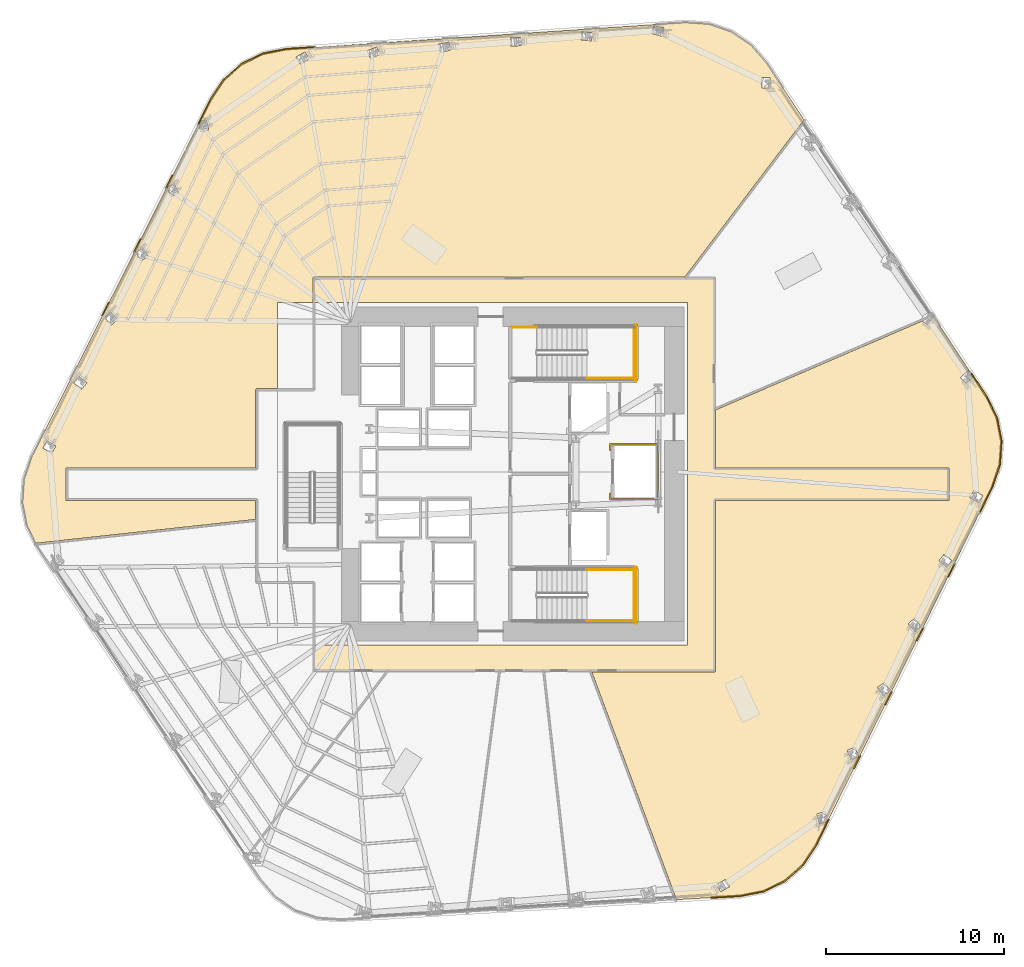
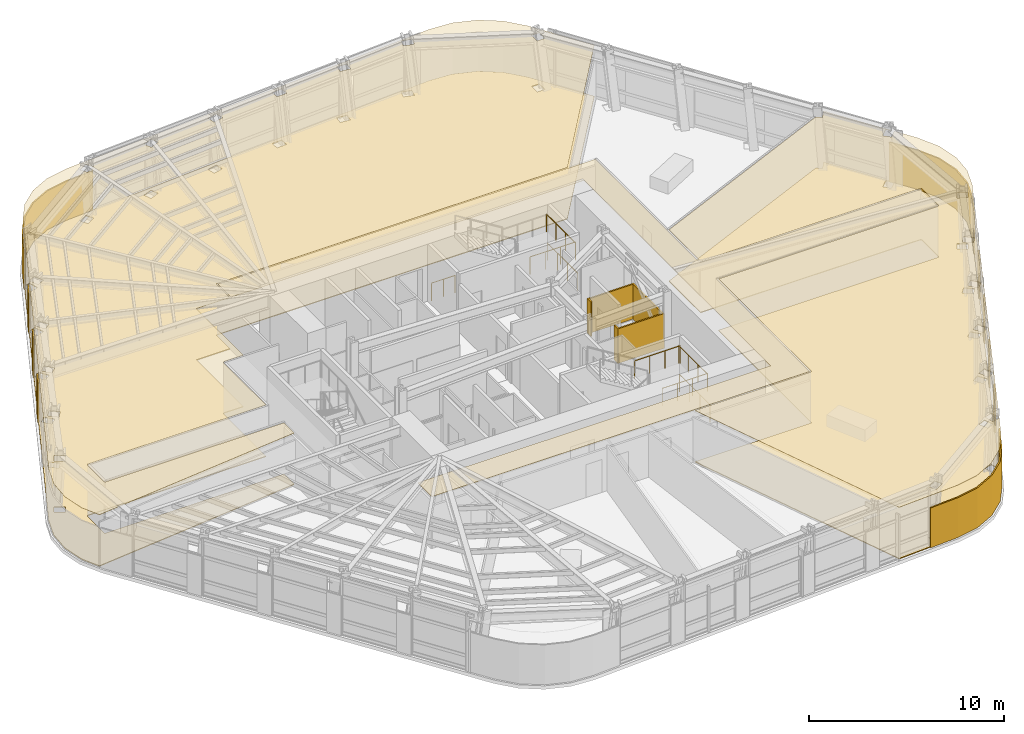
# One storey, part 13 of 15: 16 coverings, 8 railings.
"""IFC4 building model written with IfcOpenShell, lengths in metres."""

import ifcopenshell
import ifcopenshell.guid

model = None  # the IFC model being written
_history = None  # IfcOwnerHistory: only IFC2X3 demands one
_inside = {}  # id of a spatial element -> (the spatial element, [elements in it])
_under = {}  # id of a project, library or spatial element -> (it, [spatial elements below it])
_declared = {}  # id of a project -> (the project, [libraries it declares])
_typed = {}  # id of a type object -> (the type object, [elements of that type])
_made_of = {}  # id of a material, layer set ... -> (it, [elements and type objects made of it])


def new_model(schema):
    """Start an empty IFC model of exactly this schema.

    Asked for "IFC4X3", IfcOpenShell would pick the latest addendum, in which some entities
    have other attributes; the version numbers below select the first issue.
    IFC2X3 requires an IfcOwnerHistory on every rooted entity: one is made here for all.
    """
    global model, _history
    if schema == "IFC4X3":
        model = ifcopenshell.file(schema_version=(4, 3, 0, 0))
    else:
        model = ifcopenshell.file(schema=schema)
    _inside.clear()
    _under.clear()
    _declared.clear()
    _typed.clear()
    _made_of.clear()
    _history = None
    if model.schema == "IFC2X3":
        org = make("IfcOrganization", Name="unknown")
        user = make(
            "IfcPersonAndOrganization",
            ThePerson=make("IfcPerson", FamilyName="unknown"),
            TheOrganization=org,
        )
        app = make(
            "IfcApplication",
            ApplicationDeveloper=org,
            Version="unknown",
            ApplicationFullName="unknown",
            ApplicationIdentifier="unknown",
        )
        _history = make(
            "IfcOwnerHistory",
            OwningUser=user,
            OwningApplication=app,
            ChangeAction="ADDED",
            CreationDate=0,
        )
    return model


def make(cls, **values):
    """One entity of the class cls with the attributes given. An attribute that is None is left unset."""
    return model.create_entity(
        cls, **{name: value for name, value in values.items() if value is not None}
    )


def rooted(cls, **values):
    """An entity with a GlobalId (a new one), such as an element, a storey or a relation."""
    return make(cls, GlobalId=ifcopenshell.guid.new(), OwnerHistory=_history, **values)


def si_unit(unit_type, name, prefix=None):
    """IfcSIUnit, for example si_unit("LENGTHUNIT", "METRE", prefix="MILLI")."""
    return make("IfcSIUnit", UnitType=unit_type, Prefix=prefix, Name=name)


def assignment(units):
    """IfcUnitAssignment: the units of a project."""
    return None if units is None else make("IfcUnitAssignment", Units=units)


def point(xyz):
    """IfcCartesianPoint."""
    return None if xyz is None else make("IfcCartesianPoint", Coordinates=xyz)


def direction(xyz):
    """IfcDirection."""
    return None if xyz is None else make("IfcDirection", DirectionRatios=xyz)


def frame(location, z_axis=None, x_axis=None):
    """IfcAxis2Placement3D, a coordinate frame: its origin and axes. An axis left out is left unset."""
    return make(
        "IfcAxis2Placement3D",
        Location=point(location),
        Axis=direction(z_axis),
        RefDirection=direction(x_axis),
    )


def frame_2d(location, x_axis=None):
    """IfcAxis2Placement2D, a coordinate frame in the plane: its origin and x axis."""
    return make(
        "IfcAxis2Placement2D", Location=point(location), RefDirection=direction(x_axis)
    )


def origin():
    """The frame at (0, 0, 0) with its axes left unset."""
    return frame((0.0, 0.0, 0.0))


def origin_2d():
    """The frame at (0, 0) in the plane with its x axis left unset."""
    return frame_2d((0.0, 0.0))


def place(relative_to, where):
    """IfcLocalPlacement: puts the frame where relative to a parent placement (None: the world)."""
    return make(
        "IfcLocalPlacement", PlacementRelTo=relative_to, RelativePlacement=where
    )


def context(
    kind, dimensions, precision=None, world=None, true_north=None, identifier=None
):
    """IfcGeometricRepresentationContext, for example the 3D "Model" context."""
    return make(
        "IfcGeometricRepresentationContext",
        ContextIdentifier=identifier,
        ContextType=kind,
        CoordinateSpaceDimension=dimensions,
        Precision=precision,
        WorldCoordinateSystem=world,
        TrueNorth=true_north,
    )


def subcontext(parent, identifier, kind, view, scale=None):
    """IfcGeometricRepresentationSubContext, for example "Body" below "Model"."""
    return make(
        "IfcGeometricRepresentationSubContext",
        ContextIdentifier=identifier,
        ContextType=kind,
        ParentContext=parent,
        TargetScale=scale,
        TargetView=view,
    )


def project(units=None, contexts=None):
    """IfcProject with its units and contexts."""
    return rooted(
        "IfcProject",
        Name="project",
        RepresentationContexts=contexts,
        UnitsInContext=assignment(units),
    )


def spatial(cls, under=None, at=None, **own):
    """A site, building, storey or space (cls), placed at a placement, below another one or the project."""
    s = rooted(cls, ObjectPlacement=at, **own)
    if under is not None:
        _under.setdefault(under.id(), (under, []))[1].append(s)
    return s


def polyline(points):
    """IfcPolyline through the points."""
    return make("IfcPolyline", Points=[point(p) for p in points])


def profile(cls, at=None, kind="AREA", **sizes):
    """A parametric profile (cls). Its sizes go by their IFC names, for example OverallWidth=200.0."""
    return make(cls, ProfileType=kind, Position=at, **sizes)


def circle(**sizes):
    """IfcCircleProfileDef."""
    return profile("IfcCircleProfileDef", **sizes)


def outline(outer, holes=None, kind="AREA"):
    """IfcArbitraryClosedProfileDef: a profile drawn as a closed curve; with holes, ...WithVoids."""
    if holes is None:
        return make("IfcArbitraryClosedProfileDef", ProfileType=kind, OuterCurve=outer)
    return make(
        "IfcArbitraryProfileDefWithVoids",
        ProfileType=kind,
        OuterCurve=outer,
        InnerCurves=holes,
    )


def extrude(swept, where, along, depth):
    """IfcExtrudedAreaSolid: the profile swept, set in the frame where, extruded along a direction by depth."""
    return make(
        "IfcExtrudedAreaSolid",
        SweptArea=swept,
        Position=where,
        ExtrudedDirection=direction(along),
        Depth=depth,
    )


def shape(context_of_items, identifier, shape_type, items):
    """IfcShapeRepresentation: the items that make up one representation, for example the "Body"."""
    return make(
        "IfcShapeRepresentation",
        ContextOfItems=context_of_items,
        RepresentationIdentifier=identifier,
        RepresentationType=shape_type,
        Items=items,
    )


def material(Name=None, Category=None):
    """IfcMaterial."""
    return make("IfcMaterial", Name=Name, Category=Category)


def layer(
    of_material, thickness, ventilated=None, Name=None, Category=None, Priority=None
):
    """IfcMaterialLayer: one layer of a wall or slab, of a material (None: an air gap)."""
    return make(
        "IfcMaterialLayer",
        Material=of_material,
        LayerThickness=thickness,
        IsVentilated=ventilated,
        Name=Name,
        Category=Category,
        Priority=Priority,
    )


def layer_set(layers, Name=None):
    """IfcMaterialLayerSet."""
    return make("IfcMaterialLayerSet", MaterialLayers=layers, LayerSetName=Name)


def made_of(thing, what):
    """Note that an element or type object is made of a material, layer set ...; save() writes the relation."""
    if what is not None:
        _made_of.setdefault(what.id(), (what, []))[1].append(thing)
    return thing


def type_object(cls, material=None, **own):
    """A type object (cls), such as IfcWallType, which elements share."""
    return made_of(rooted(cls, **own), material)


def element(
    cls,
    number,
    at=None,
    inside=None,
    cuts=None,
    type_object=None,
    material=None,
    context=None,
    identifier="Body",
    shape_type=None,
    held_by="IfcProductDefinitionShape",
    body=None,
    shapes=None,
    **own,
):
    """One element of the class cls, such as IfcWall. Its Tag is "e" and its number.

    at: its placement. inside: the storey or other place that contains it. cuts: it is an
    opening in that element (IfcRelVoidsElement). A single representation is given by context,
    identifier, shape_type and body (its items); several are given by shapes. held_by: the class
    of the entity that holds the representations. save() writes the other relations.
    """
    e = rooted(cls, Tag="e%d" % number, ObjectPlacement=at, **own)
    if body is not None:
        shapes = [shape(context, identifier, shape_type, body)]
    if shapes is not None:
        e.Representation = make(held_by, Representations=shapes)
    if inside is not None:
        _inside.setdefault(inside.id(), (inside, []))[1].append(e)
    if cuts is not None:
        rooted(
            "IfcRelVoidsElement", RelatingBuildingElement=cuts, RelatedOpeningElement=e
        )
    if type_object is not None:
        _typed.setdefault(type_object.id(), (type_object, []))[1].append(e)
    return made_of(e, material)


def aggregate(whole, parts):
    """IfcRelAggregates: a whole, such as a stair, and the parts it consists of."""
    return rooted("IfcRelAggregates", RelatingObject=whole, RelatedObjects=parts)


def save(model, path):
    """Write the relations noted so far, then the file.

    IfcRelAggregates (storeys below a building ...), IfcRelContainedInSpatialStructure (elements
    in a storey), IfcRelDefinesByType, IfcRelAssociatesMaterial and IfcRelDeclares: one each for
    every whole, place, type object, material and project.
    """
    for whole, parts in _under.values():
        aggregate(whole, parts)
    for where, things in _inside.values():
        rooted(
            "IfcRelContainedInSpatialStructure",
            RelatedElements=things,
            RelatingStructure=where,
        )
    for kind, things in _typed.values():
        rooted("IfcRelDefinesByType", RelatedObjects=things, RelatingType=kind)
    for what, things in _made_of.values():
        rooted("IfcRelAssociatesMaterial", RelatedObjects=things, RelatingMaterial=what)
    for by, libraries in _declared.values():
        rooted("IfcRelDeclares", RelatingContext=by, RelatedDefinitions=libraries)
    model.write(path)


model = new_model("IFC4")

# Units and contexts
model_context = context("Model", 3, precision=1e-05, world=origin(), true_north=direction((0.0, 1.0)))
body_context = subcontext(model_context, "Body", "Model", "MODEL_VIEW")
ifc_project = project(units=[si_unit("LENGTHUNIT", "METRE"), si_unit("AREAUNIT", "SQUARE_METRE"), si_unit("VOLUMEUNIT", "CUBIC_METRE"), si_unit("PLANEANGLEUNIT", "RADIAN"), si_unit("MASSUNIT", "GRAM", prefix="KILO")], contexts=[model_context])

# Site, building, storey
site_placement = place(None, origin())
site = spatial("IfcSite", under=ifc_project, at=site_placement, CompositionType="ELEMENT")
building_placement = place(site_placement, origin())
building = spatial("IfcBuilding", under=site, at=building_placement, Name="Valkerne Bourse Tower", CompositionType="ELEMENT")
storey_placement = place(building_placement, frame((0.0, 0.0, 39.199951171875)))
storey = spatial("IfcBuildingStorey", under=building, at=storey_placement, Name="L09", CompositionType="ELEMENT", Elevation=39.199951171875)

# Coverings
ifc_material_1 = material(Name="Mineral Fiber Acoustic Ceiling Tile", Category="acoustic")
ifc_layer_1 = layer(ifc_material_1, 0.02490234375)
ifc_layer_set_1 = layer_set([ifc_layer_1], Name="Mineral Fiber Acoustic Ceiling Tile")
covering_type_1 = type_object("IfcCoveringType", Name="COV-CEIL-ACT", PredefinedType="CEILING", material=ifc_layer_set_1)
covering_1_placement = place(storey_placement, frame((0.0, 0.0, 3.22998046875)))
element("IfcCovering", 1, at=covering_1_placement, inside=storey, type_object=covering_type_1, Name="L09 Suspended Ceiling 08", PredefinedType="CEILING", context=body_context, shape_type="SweptSolid", body=[
    extrude(outline(polyline([(60.857421875, 3.477783203125), (59.553466796875, 3.221923828125), (55.9755859375, 3.009765625), (51.226318359375, 15.781005859375), (58.1005859375, 15.781005859375), (58.130126953125, 15.787841796875), (58.156005859375, 15.809326171875), (58.1689453125, 15.849365234375), (58.1689453125, 25.381103515625), (71.200439453125, 25.381103515625), (71.22900390625, 25.38720703125), (71.251220703125, 25.403564453125), (71.26904296875, 25.44921875), (71.26904296875, 27.150634765625), (71.251708984375, 27.196044921875), (71.210205078125, 27.218505859375), (58.1689453125, 27.218994140625), (58.1689453125, 30.469970703125), (69.754150390625, 35.45556640625), (70.035400390625, 35.249755859375), (70.377685546875, 35.712890625), (70.376708984375, 35.71630859375), (70.37060546875, 35.720703125), (70.382080078125, 35.7255859375), (72.513916015625, 32.491943359375), (72.31591796875, 32.6884765625), (71.907958984375, 32.28173828125), (71.90869140625, 32.278076171875), (72.23583984375, 31.953369140625), (72.61767578125, 32.334228515625), (73.357421875, 31.21240234375), (73.942138671875, 30.0185546875), (74.196044921875, 28.7236328125), (74.1064453125, 27.406982421875), (73.67578125, 26.1494140625), (64.4443359375, 7.3837890625), (64.294189453125, 7.936279296875), (63.84912109375, 7.817626953125), (63.846435546875, 7.815185546875), (63.99755859375, 7.259033203125), (64.44140625, 7.37744140625), (63.77783203125, 6.02880859375), (63.036865234375, 4.92578125), (62.04248046875, 4.058349609375), (60.857421875, 3.477783203125)]), holes=[polyline([(58.95751953125, 3.744384765625), (58.724853515625, 4.144287109375), (58.721435546875, 4.142578125), (58.225830078125, 3.853759765625), (58.45849609375, 3.453857421875), (58.4619140625, 3.45556640625), (58.95751953125, 3.744384765625)]), polyline([(66.20068359375, 11.02734375), (66.202880859375, 11.0302734375), (65.970458984375, 11.5576171875), (65.548095703125, 11.373779296875), (65.5458984375, 11.370849609375), (65.7783203125, 10.843505859375), (66.20068359375, 11.02734375)]), polyline([(67.95458984375, 14.687744140625), (67.640625, 15.171142578125), (67.253173828125, 14.921875), (67.251220703125, 14.918701171875), (67.565185546875, 14.435302734375), (67.952880859375, 14.684814453125), (67.95458984375, 14.687744140625)]), polyline([(69.696044921875, 18.346923828125), (69.697265625, 18.35009765625), (69.307861328125, 18.775146484375), (68.966796875, 18.465087890625), (68.965576171875, 18.4619140625), (69.35498046875, 18.036865234375), (69.696044921875, 18.346923828125)]), polyline([(71.42919921875, 22.009033203125), (71.429931640625, 22.0126953125), (70.977294921875, 22.369140625), (70.690673828125, 22.00830078125), (70.689697265625, 22.0048828125), (71.142578125, 21.648193359375), (71.42919921875, 22.009033203125)]), polyline([(73.15380859375, 25.67041015625), (72.65283203125, 25.95556640625), (72.423095703125, 25.556396484375), (72.423095703125, 25.552490234375), (72.923828125, 25.267578125), (73.153564453125, 25.666748046875), (73.15380859375, 25.67041015625)])]), origin(), (0.0, 0.0, 1.0), 0.025146484375),
])
covering_2_placement = place(storey_placement, frame((0.0, 0.0, 3.22998046875)))
element("IfcCovering", 2, at=covering_2_placement, inside=storey, type_object=covering_type_1, Name="L09 Suspended Ceiling 09", PredefinedType="CEILING", context=body_context, shape_type="SweptSolid", body=[
    extrude(outline(polyline([(19.400390625, 26.5869140625), (19.830810546875, 27.84423828125), (27.40185546875, 42.958984375), (27.62939453125, 42.4423828125), (28.052001953125, 42.626220703125), (28.05419921875, 42.629150390625), (27.82177734375, 43.156494140625), (27.411376953125, 42.977783203125), (29.18310546875, 46.514892578125), (29.305908203125, 46.063720703125), (29.750732421875, 46.182373046875), (29.753662109375, 46.184814453125), (29.6025390625, 46.740966796875), (29.2490234375, 46.646728515625), (29.873291015625, 47.89306640625), (30.61474609375, 48.99658203125), (31.609375, 49.864013671875), (32.794189453125, 50.4443359375), (34.0986328125, 50.700439453125), (56.47265625, 52.18896484375), (57.798583984375, 52.098388671875), (59.046875, 51.671142578125), (60.14208984375, 50.935302734375), (61.015625, 49.933837890625), (63.127685546875, 46.72998046875), (56.443603515625, 37.9189453125), (35.627197265625, 37.915283203125), (35.593994140625, 37.890869140625), (35.5810546875, 37.8505859375), (35.5810546875, 36.5), (33.60009765625, 36.5), (33.60009765625, 31.6689453125), (32.449462890625, 31.6689453125), (32.419921875, 31.662109375), (32.39404296875, 31.640625), (32.381103515625, 31.6005859375), (32.381103515625, 27.218994140625), (21.79931640625, 27.218994140625), (21.75830078125, 27.205322265625), (21.733154296875, 27.16748046875), (21.731201171875, 25.446533203125), (21.744873046875, 25.408203125), (21.782470703125, 25.383056640625), (32.381103515625, 25.381103515625), (32.381103515625, 24.3310546875), (20.0458984375, 22.99365234375), (19.564697265625, 23.9755859375), (19.310791015625, 25.2705078125), (19.400390625, 26.5869140625)]), holes=[polyline([(21.177001953125, 28.447509765625), (20.676025390625, 28.732421875), (20.4462890625, 28.333251953125), (20.4462890625, 28.32958984375), (20.947021484375, 28.04443359375), (21.1767578125, 28.443603515625), (21.177001953125, 28.447509765625)]), polyline([(22.909423828125, 31.99169921875), (22.91015625, 31.9951171875), (22.457275390625, 32.351806640625), (22.170654296875, 31.990966796875), (22.169921875, 31.9873046875), (22.622802734375, 31.630859375), (22.909423828125, 31.99169921875)]), polyline([(24.634521484375, 35.5380859375), (24.244873046875, 35.963134765625), (23.904052734375, 35.653076171875), (23.902587890625, 35.64990234375), (24.292236328125, 35.224853515625), (24.63330078125, 35.534912109375), (24.634521484375, 35.5380859375)]), polyline([(26.346923828125, 39.078125), (26.3486328125, 39.081298828125), (26.03466796875, 39.564697265625), (25.647216796875, 39.315185546875), (25.6455078125, 39.312255859375), (25.95947265625, 38.828857421875), (26.346923828125, 39.078125)]), polyline([(34.878662109375, 49.857421875), (35.374267578125, 50.146240234375), (35.141357421875, 50.546142578125), (35.137939453125, 50.54443359375), (34.642333984375, 50.255615234375), (34.875244140625, 49.855712890625), (34.878662109375, 49.857421875)]), polyline([(38.81298828125, 50.184814453125), (39.34619140625, 50.396728515625), (39.17578125, 50.826904296875), (39.172119140625, 50.82568359375), (38.638916015625, 50.61376953125), (38.8095703125, 50.18359375), (38.81298828125, 50.184814453125)]), polyline([(42.747802734375, 50.5224609375), (43.30859375, 50.645751953125), (43.20947265625, 51.09765625), (43.205810546875, 51.09716796875), (42.645263671875, 50.973876953125), (42.744384765625, 50.52197265625), (42.747802734375, 50.5224609375)]), polyline([(47.238037109375, 51.35986328125), (47.234619140625, 51.35986328125), (46.6611328125, 51.330810546875), (46.684326171875, 50.86865234375), (46.68798828125, 50.86865234375), (47.26123046875, 50.897705078125), (47.238037109375, 51.35986328125)]), polyline([(51.25830078125, 51.616455078125), (51.2548828125, 51.6171875), (50.684326171875, 51.6806640625), (50.6328125, 51.220703125), (50.636474609375, 51.22021484375), (51.206787109375, 51.15673828125), (51.25830078125, 51.616455078125)]), polyline([(55.2685546875, 51.872314453125), (55.264892578125, 51.87353515625), (54.710693359375, 52.02099609375), (54.59130859375, 51.573974609375), (54.594970703125, 51.57275390625), (55.1494140625, 51.42529296875), (55.2685546875, 51.872314453125)]), polyline([(61.22900390625, 48.52490234375), (61.228515625, 49.100830078125), (61.22509765625, 49.102783203125), (60.764404296875, 49.099853515625), (60.76513671875, 48.52392578125), (60.768310546875, 48.521728515625), (61.22900390625, 48.52490234375)])]), origin(), (0.0, 0.0, 1.0), 0.025146484375),
])
ifc_material_2 = material(Name="Bronze Anodised Aluminium AA 6063-T6", Category="aluminium")
ifc_layer_2 = layer(ifc_material_2, 0.030029296875)
ifc_layer_set_2 = layer_set([ifc_layer_2], Name="Bronze Anodised Aluminium AA 6063-T6")
covering_type_2 = type_object("IfcCoveringType", Name="COV-CEIL-METAL", PredefinedType="CEILING", material=ifc_layer_set_2)
covering_3_placement = place(storey_placement, frame((0.0, 0.0, 3.22998046875)))
element("IfcCovering", 3, at=covering_3_placement, inside=storey, type_object=covering_type_2, Name="L09 Suspended Ceiling 01", PredefinedType="CEILING", context=body_context, shape_type="SweptSolid", body=[
    extrude(outline(polyline([(71.196044921875, 27.14599609375), (71.196044921875, 25.4541015625), (58.095947265625, 25.4541015625), (58.095947265625, 15.85400390625), (35.654052734375, 15.85400390625), (35.654052734375, 17.300048828125), (56.60009765625, 17.300048828125), (56.60009765625, 36.5), (35.654052734375, 36.5), (35.654052734375, 37.845947265625), (58.095947265625, 37.845947265625), (58.095947265625, 27.14599609375), (71.196044921875, 27.14599609375)])), origin(), (0.0, 0.0, 1.0), 0.025146484375),
])
ifc_layer_3 = layer(ifc_material_2, 0.06005859375)
ifc_layer_set_3 = layer_set([ifc_layer_3], Name="Bronze Anodised Aluminium AA 6063-T6")
covering_type_3 = type_object("IfcCoveringType", Name="COV-CRN-ALUM", PredefinedType="CLADDING", material=ifc_layer_set_3)
covering_4_placement = place(storey_placement, origin())
element("IfcCovering", 4, at=covering_4_placement, inside=storey, type_object=covering_type_3, Name="L09 Wind-Shaped Corner Aluminium Cladding 01", PredefinedType="CLADDING", context=body_context, shape_type="SweptSolid", body=[
    extrude(outline(polyline([(63.070068359375, 4.896484375), (62.06689453125, 4.021484375), (60.87158203125, 3.435791015625), (59.55908203125, 3.17822265625), (57.893798828125, 3.07958984375), (57.888916015625, 3.1591796875), (59.548828125, 3.2578125), (60.845703125, 3.51220703125), (62.022216796875, 4.088623046875), (63.009521484375, 4.94970703125), (63.74658203125, 6.046875), (64.480712890625, 7.5390625), (64.55224609375, 7.50341796875), (63.81591796875, 6.006591796875), (63.070068359375, 4.896484375)])), origin(), (0.0, 0.0, 1.0), 2.5),
])
covering_5_placement = place(storey_placement, origin())
element("IfcCovering", 5, at=covering_5_placement, inside=storey, type_object=covering_type_3, Name="L09 Wind-Shaped Corner Aluminium Cladding 13", PredefinedType="CLADDING", context=body_context, shape_type="SweptSolid", body=[
    extrude(outline(polyline([(24.11669921875, 36.498291015625), (24.188232421875, 36.462890625), (23.81201171875, 35.7119140625), (23.740478515625, 35.747314453125), (24.11669921875, 36.498291015625)])), origin(), (0.0, 0.0, 1.0), 2.5),
])
covering_6_placement = place(storey_placement, origin())
element("IfcCovering", 6, at=covering_6_placement, inside=storey, type_object=covering_type_3, Name="L09 Wind-Shaped Corner Aluminium Cladding 14", PredefinedType="CLADDING", context=body_context, shape_type="SweptSolid", body=[
    extrude(outline(polyline([(25.90625, 40.0712890625), (25.977783203125, 40.03564453125), (25.601806640625, 39.28466796875), (25.530029296875, 39.3203125), (25.90625, 40.0712890625)])), origin(), (0.0, 0.0, 1.0), 2.5),
])
covering_7_placement = place(storey_placement, origin())
element("IfcCovering", 7, at=covering_7_placement, inside=storey, type_object=covering_type_3, Name="L09 Wind-Shaped Corner Aluminium Cladding 15", PredefinedType="CLADDING", context=body_context, shape_type="SweptSolid", body=[
    extrude(outline(polyline([(27.69580078125, 43.644287109375), (27.767578125, 43.608642578125), (27.391357421875, 42.857666015625), (27.319580078125, 42.89306640625), (27.69580078125, 43.644287109375)])), origin(), (0.0, 0.0, 1.0), 2.5),
])
covering_8_placement = place(storey_placement, origin())
element("IfcCovering", 8, at=covering_8_placement, inside=storey, type_object=covering_type_3, Name="L09 Wind-Shaped Corner Aluminium Cladding 16", PredefinedType="CLADDING", context=body_context, shape_type="SweptSolid", body=[
    extrude(outline(polyline([(29.83544921875, 47.915283203125), (30.58154296875, 49.02587890625), (31.584716796875, 49.90087890625), (32.780029296875, 50.486572265625), (34.093017578125, 50.744140625), (35.71044921875, 50.851806640625), (35.71533203125, 50.77197265625), (34.103515625, 50.664794921875), (32.805908203125, 50.409912109375), (31.62939453125, 49.833740234375), (30.64208984375, 48.972412109375), (29.904541015625, 47.875), (29.180908203125, 46.430419921875), (29.109375, 46.466064453125), (29.83544921875, 47.915283203125)])), origin(), (0.0, 0.0, 1.0), 2.5),
])
covering_9_placement = place(storey_placement, origin())
element("IfcCovering", 9, at=covering_9_placement, inside=storey, type_object=covering_type_3, Name="L09 Wind-Shaped Corner Aluminium Cladding 26", PredefinedType="CLADDING", context=body_context, shape_type="SweptSolid", body=[
    extrude(outline(polyline([(73.3955078125, 31.234130859375), (73.984130859375, 30.03271484375), (74.240478515625, 28.726318359375), (74.14990234375, 27.398193359375), (73.716552734375, 26.132568359375), (73.0009765625, 24.677978515625), (72.92919921875, 24.71337890625), (73.642578125, 26.163330078125), (74.07080078125, 27.414306640625), (74.159912109375, 28.72119140625), (73.90771484375, 30.0068359375), (73.325927734375, 31.1943359375), (72.436767578125, 32.543212890625), (72.50341796875, 32.587646484375), (73.3955078125, 31.234130859375)])), origin(), (0.0, 0.0, 1.0), 2.5),
])
covering_10_placement = place(storey_placement, origin())
element("IfcCovering", 10, at=covering_10_placement, inside=storey, type_object=covering_type_3, Name="L09 Wind-Shaped Corner Aluminium Cladding 27", PredefinedType="CLADDING", context=body_context, shape_type="SweptSolid", body=[
    extrude(outline(polyline([(71.237060546875, 21.09228515625), (71.165283203125, 21.127685546875), (71.5361328125, 21.881591796875), (71.60791015625, 21.845947265625), (71.237060546875, 21.09228515625)])), origin(), (0.0, 0.0, 1.0), 2.5),
])
covering_11_placement = place(storey_placement, origin())
element("IfcCovering", 11, at=covering_11_placement, inside=storey, type_object=covering_type_3, Name="L09 Wind-Shaped Corner Aluminium Cladding 28", PredefinedType="CLADDING", context=body_context, shape_type="SweptSolid", body=[
    extrude(outline(polyline([(69.47314453125, 17.506591796875), (69.401611328125, 17.542236328125), (69.7724609375, 18.2958984375), (69.843994140625, 18.260498046875), (69.47314453125, 17.506591796875)])), origin(), (0.0, 0.0, 1.0), 2.5),
])
covering_12_placement = place(storey_placement, origin())
element("IfcCovering", 12, at=covering_12_placement, inside=storey, type_object=covering_type_3, Name="L09 Wind-Shaped Corner Aluminium Cladding 29", PredefinedType="CLADDING", context=body_context, shape_type="SweptSolid", body=[
    extrude(outline(polyline([(67.709228515625, 13.9208984375), (67.6376953125, 13.95654296875), (68.00830078125, 14.710205078125), (68.080078125, 14.6748046875), (67.709228515625, 13.9208984375)])), origin(), (0.0, 0.0, 1.0), 2.5),
])
covering_13_placement = place(storey_placement, origin())
element("IfcCovering", 13, at=covering_13_placement, inside=storey, type_object=covering_type_3, Name="L09 Wind-Shaped Corner Aluminium Cladding 30", PredefinedType="CLADDING", context=body_context, shape_type="SweptSolid", body=[
    extrude(outline(polyline([(65.9453125, 10.335205078125), (65.873779296875, 10.370849609375), (66.24462890625, 11.12451171875), (66.316162109375, 11.089111328125), (65.9453125, 10.335205078125)])), origin(), (0.0, 0.0, 1.0), 2.5),
])
ifc_material_3 = material(Name="Galvanised Painted Steel", Category="steel")
ifc_layer_4 = layer(ifc_material_3, 0.044921875)
ifc_layer_set_4 = layer_set([ifc_layer_4], Name="Galvanised Painted Steel")
covering_type_4 = type_object("IfcCoveringType", Name="COV-FLR-RAF", PredefinedType="FLOORING", material=ifc_layer_set_4)
covering_14_placement = place(storey_placement, origin())
element("IfcCovering", 14, at=covering_14_placement, inside=storey, type_object=covering_type_4, Name="L09 Floor Finish 08", PredefinedType="FLOORING", context=body_context, shape_type="SweptSolid", body=[
    extrude(outline(polyline([(60.857421875, 3.477783203125), (59.553466796875, 3.221923828125), (55.9755859375, 3.009765625), (51.226318359375, 15.781005859375), (58.1005859375, 15.781005859375), (58.130126953125, 15.787841796875), (58.156005859375, 15.809326171875), (58.1689453125, 15.849365234375), (58.1689453125, 25.381103515625), (71.200439453125, 25.381103515625), (71.22900390625, 25.38720703125), (71.251220703125, 25.403564453125), (71.26904296875, 25.44921875), (71.26904296875, 27.150634765625), (71.251708984375, 27.196044921875), (71.210205078125, 27.218505859375), (58.1689453125, 27.218994140625), (58.1689453125, 30.469970703125), (69.754150390625, 35.45556640625), (70.035400390625, 35.249755859375), (70.377685546875, 35.712890625), (70.376708984375, 35.71630859375), (70.37060546875, 35.720703125), (70.382080078125, 35.7255859375), (72.513916015625, 32.491943359375), (72.31591796875, 32.6884765625), (71.907958984375, 32.28173828125), (71.90869140625, 32.278076171875), (72.23583984375, 31.953369140625), (72.61767578125, 32.334228515625), (73.357421875, 31.21240234375), (73.942138671875, 30.0185546875), (74.196044921875, 28.7236328125), (74.1064453125, 27.406982421875), (73.67578125, 26.1494140625), (64.4443359375, 7.3837890625), (64.294189453125, 7.936279296875), (63.84912109375, 7.817626953125), (63.846435546875, 7.815185546875), (63.99755859375, 7.259033203125), (64.44140625, 7.37744140625), (63.77783203125, 6.02880859375), (63.036865234375, 4.92578125), (62.04248046875, 4.058349609375), (60.857421875, 3.477783203125)]), holes=[polyline([(58.95751953125, 3.744384765625), (58.724853515625, 4.144287109375), (58.721435546875, 4.142578125), (58.225830078125, 3.853759765625), (58.45849609375, 3.453857421875), (58.4619140625, 3.45556640625), (58.95751953125, 3.744384765625)]), polyline([(66.20068359375, 11.02734375), (66.202880859375, 11.0302734375), (65.970458984375, 11.5576171875), (65.548095703125, 11.373779296875), (65.5458984375, 11.370849609375), (65.7783203125, 10.843505859375), (66.20068359375, 11.02734375)]), polyline([(67.95458984375, 14.687744140625), (67.640625, 15.171142578125), (67.253173828125, 14.921875), (67.251220703125, 14.918701171875), (67.565185546875, 14.435302734375), (67.952880859375, 14.684814453125), (67.95458984375, 14.687744140625)]), polyline([(69.696044921875, 18.346923828125), (69.697265625, 18.35009765625), (69.307861328125, 18.775146484375), (68.966796875, 18.465087890625), (68.965576171875, 18.4619140625), (69.35498046875, 18.036865234375), (69.696044921875, 18.346923828125)]), polyline([(71.42919921875, 22.009033203125), (71.429931640625, 22.0126953125), (70.977294921875, 22.369140625), (70.690673828125, 22.00830078125), (70.689697265625, 22.0048828125), (71.142578125, 21.648193359375), (71.42919921875, 22.009033203125)]), polyline([(73.15380859375, 25.67041015625), (72.65283203125, 25.95556640625), (72.423095703125, 25.556396484375), (72.423095703125, 25.552490234375), (72.923828125, 25.267578125), (73.153564453125, 25.666748046875), (73.15380859375, 25.67041015625)])]), origin(), (0.0, 0.0, 1.0), 0.045166015625),
])
covering_15_placement = place(storey_placement, origin())
element("IfcCovering", 15, at=covering_15_placement, inside=storey, type_object=covering_type_4, Name="L09 Floor Finish 09", PredefinedType="FLOORING", context=body_context, shape_type="SweptSolid", body=[
    extrude(outline(polyline([(19.400390625, 26.5869140625), (19.830810546875, 27.84423828125), (27.40185546875, 42.958984375), (27.62939453125, 42.4423828125), (28.052001953125, 42.626220703125), (28.05419921875, 42.629150390625), (27.82177734375, 43.156494140625), (27.411376953125, 42.977783203125), (29.18310546875, 46.514892578125), (29.305908203125, 46.063720703125), (29.750732421875, 46.182373046875), (29.753662109375, 46.184814453125), (29.6025390625, 46.740966796875), (29.2490234375, 46.646728515625), (29.873291015625, 47.89306640625), (30.61474609375, 48.99658203125), (31.609375, 49.864013671875), (32.794189453125, 50.4443359375), (34.0986328125, 50.700439453125), (56.47265625, 52.18896484375), (57.798583984375, 52.098388671875), (59.046875, 51.671142578125), (60.14208984375, 50.935302734375), (61.015625, 49.933837890625), (63.127685546875, 46.72998046875), (56.443603515625, 37.9189453125), (35.627197265625, 37.915283203125), (35.593994140625, 37.890869140625), (35.5810546875, 37.8505859375), (35.5810546875, 36.5), (33.60009765625, 36.5), (33.60009765625, 31.6689453125), (32.449462890625, 31.6689453125), (32.419921875, 31.662109375), (32.39404296875, 31.640625), (32.381103515625, 31.6005859375), (32.381103515625, 27.218994140625), (21.79931640625, 27.218994140625), (21.75830078125, 27.205322265625), (21.733154296875, 27.16748046875), (21.731201171875, 25.446533203125), (21.744873046875, 25.408203125), (21.782470703125, 25.383056640625), (32.381103515625, 25.381103515625), (32.381103515625, 24.3310546875), (20.0458984375, 22.99365234375), (19.564697265625, 23.9755859375), (19.310791015625, 25.2705078125), (19.400390625, 26.5869140625)]), holes=[polyline([(21.177001953125, 28.447509765625), (20.676025390625, 28.732421875), (20.4462890625, 28.333251953125), (20.4462890625, 28.32958984375), (20.947021484375, 28.04443359375), (21.1767578125, 28.443603515625), (21.177001953125, 28.447509765625)]), polyline([(22.909423828125, 31.99169921875), (22.91015625, 31.9951171875), (22.457275390625, 32.351806640625), (22.170654296875, 31.990966796875), (22.169921875, 31.9873046875), (22.622802734375, 31.630859375), (22.909423828125, 31.99169921875)]), polyline([(24.634521484375, 35.5380859375), (24.244873046875, 35.963134765625), (23.904052734375, 35.653076171875), (23.902587890625, 35.64990234375), (24.292236328125, 35.224853515625), (24.63330078125, 35.534912109375), (24.634521484375, 35.5380859375)]), polyline([(26.346923828125, 39.078125), (26.3486328125, 39.081298828125), (26.03466796875, 39.564697265625), (25.647216796875, 39.315185546875), (25.6455078125, 39.312255859375), (25.95947265625, 38.828857421875), (26.346923828125, 39.078125)]), polyline([(34.878662109375, 49.857421875), (35.374267578125, 50.146240234375), (35.141357421875, 50.546142578125), (35.137939453125, 50.54443359375), (34.642333984375, 50.255615234375), (34.875244140625, 49.855712890625), (34.878662109375, 49.857421875)]), polyline([(38.81298828125, 50.184814453125), (39.34619140625, 50.396728515625), (39.17578125, 50.826904296875), (39.172119140625, 50.82568359375), (38.638916015625, 50.61376953125), (38.8095703125, 50.18359375), (38.81298828125, 50.184814453125)]), polyline([(42.747802734375, 50.5224609375), (43.30859375, 50.645751953125), (43.20947265625, 51.09765625), (43.205810546875, 51.09716796875), (42.645263671875, 50.973876953125), (42.744384765625, 50.52197265625), (42.747802734375, 50.5224609375)]), polyline([(47.238037109375, 51.35986328125), (47.234619140625, 51.35986328125), (46.6611328125, 51.330810546875), (46.684326171875, 50.86865234375), (46.68798828125, 50.86865234375), (47.26123046875, 50.897705078125), (47.238037109375, 51.35986328125)]), polyline([(51.25830078125, 51.616455078125), (51.2548828125, 51.6171875), (50.684326171875, 51.6806640625), (50.6328125, 51.220703125), (50.636474609375, 51.22021484375), (51.206787109375, 51.15673828125), (51.25830078125, 51.616455078125)]), polyline([(55.2685546875, 51.872314453125), (55.264892578125, 51.87353515625), (54.710693359375, 52.02099609375), (54.59130859375, 51.573974609375), (54.594970703125, 51.57275390625), (55.1494140625, 51.42529296875), (55.2685546875, 51.872314453125)]), polyline([(61.22900390625, 48.52490234375), (61.228515625, 49.100830078125), (61.22509765625, 49.102783203125), (60.764404296875, 49.099853515625), (60.76513671875, 48.52392578125), (60.768310546875, 48.521728515625), (61.22900390625, 48.52490234375)])]), origin(), (0.0, 0.0, 1.0), 0.045166015625),
])
ifc_material_4 = material(Name="Gypsum Shaftwall Liner Board", Category="gypsum")
ifc_layer_5 = layer(ifc_material_4, 0.080078125)
ifc_layer_set_5 = layer_set([ifc_layer_5], Name="Gypsum Shaftwall Liner Board")
covering_type_5 = type_object("IfcCoveringType", Name="COV-SHF-CLAD", PredefinedType="CLADDING", material=ifc_layer_set_5)
covering_16_placement = place(storey_placement, origin())
element("IfcCovering", 16, at=covering_16_placement, inside=storey, type_object=covering_type_5, Name="L09 Hoistway & Riser Shaftwall Liner 08", PredefinedType="CLADDING", context=body_context, shape_type="SweptSolid", body=[
    extrude(outline(polyline([(54.97998046875, 25.419921875), (52.219970703125, 25.419921875), (52.219970703125, 25.81787109375), (52.227783203125, 25.814208984375), (52.269287109375, 25.79931640625), (52.31005859375, 25.789306640625), (52.31005859375, 25.510009765625), (54.889892578125, 25.510009765625), (54.889892578125, 28.489990234375), (52.31005859375, 28.489990234375), (52.31005859375, 28.210693359375), (52.269287109375, 28.20068359375), (52.227783203125, 28.185791015625), (52.219970703125, 28.18212890625), (52.219970703125, 28.580078125), (54.97998046875, 28.580078125), (54.97998046875, 25.419921875)])), origin(), (0.0, 0.0, 1.0), 2.179931640625),
])

# Railings
railing_type = type_object("IfcRailingType", Name="RLG-ST-GUARD-1120", PredefinedType="GUARDRAIL", material=ifc_material_3)
for number, where, name in (
    (17, (50.949951171875, 18.64990234375, 1.900146484375), "L09 ST-1 stair guard 3"),
    (18, (50.949951171875, 21.5, 1.900146484375), "L09 ST-1 stair guard 4"),
):
    element("IfcRailing", number, at=place(storey_placement, frame(where)), inside=storey, type_object=railing_type, Name=name, PredefinedType="GUARDRAIL", context=body_context, shape_type="SweptSolid", body=[
        extrude(circle(Radius=0.02392578125, at=origin_2d()), frame((0.0, 0.0, 1.09619140625), z_axis=(1.0, 0.0, 0.0), x_axis=(0.0, 1.0, 0.0)), (0.0, 0.0, 1.0), 2.699951171875),
        extrude(circle(Radius=0.02099609375, at=origin_2d()), origin(), (0.0, 0.0, 1.0), 1.072021484375),
        extrude(circle(Radius=0.02099609375, at=origin_2d()), frame((0.89990234375, 0.0, 0.0)), (0.0, 0.0, 1.0), 1.072021484375),
        extrude(circle(Radius=0.02099609375, at=origin_2d()), frame((1.800048828125, 0.0, 0.0)), (0.0, 0.0, 1.0), 1.072021484375),
        extrude(circle(Radius=0.02099609375, at=origin_2d()), frame((2.699951171875, 0.0, 0.0)), (0.0, 0.0, 1.0), 1.072021484375),
    ])
railing_1_placement = place(storey_placement, frame((53.60009765625, 18.60009765625, 1.900146484375)))
element("IfcRailing", 19, at=railing_1_placement, inside=storey, type_object=railing_type, Name="L09 ST-1 stair guard 5", PredefinedType="GUARDRAIL", context=body_context, shape_type="SweptSolid", body=[
    extrude(circle(Radius=0.02392578125, at=origin_2d()), frame((0.0, 0.0, 1.09619140625), z_axis=(0.0, 1.0, 0.0), x_axis=(-1.0, 0.0, 0.0)), (0.0, 0.0, 1.0), 2.949951171875),
    extrude(circle(Radius=0.02099609375, at=origin_2d()), origin(), (0.0, 0.0, 1.0), 1.072021484375),
    extrude(circle(Radius=0.02099609375, at=origin_2d()), frame((0.0, 0.9833984375, 0.0)), (0.0, 0.0, 1.0), 1.072021484375),
    extrude(circle(Radius=0.02099609375, at=origin_2d()), frame((0.0, 1.966552734375, 0.0)), (0.0, 0.0, 1.0), 1.072021484375),
    extrude(circle(Radius=0.02099609375, at=origin_2d()), frame((0.0, 2.949951171875, 0.0)), (0.0, 0.0, 1.0), 1.072021484375),
])
railing_2_placement = place(storey_placement, frame((53.699951171875, 18.5, 0.0)))
element("IfcRailing", 20, at=railing_2_placement, inside=storey, type_object=railing_type, Name="L09 ST-1 stair guard 12", PredefinedType="GUARDRAIL", context=body_context, shape_type="SweptSolid", body=[
    extrude(circle(Radius=0.02392578125, at=origin_2d()), frame((0.0, 0.0, 1.09619140625), z_axis=(0.0, 1.0, 0.0), x_axis=(-1.0, 0.0, 0.0)), (0.0, 0.0, 1.0), 3.14990234375),
    extrude(circle(Radius=0.02099609375, at=origin_2d()), origin(), (0.0, 0.0, 1.0), 1.072021484375),
    extrude(circle(Radius=0.02099609375, at=origin_2d()), frame((0.0, 1.050048828125, 0.0)), (0.0, 0.0, 1.0), 1.072021484375),
    extrude(circle(Radius=0.02099609375, at=origin_2d()), frame((0.0, 2.099853515625, 0.0)), (0.0, 0.0, 1.0), 1.072021484375),
    extrude(circle(Radius=0.02099609375, at=origin_2d()), frame((0.0, 3.14990234375, 0.0)), (0.0, 0.0, 1.0), 1.072021484375),
])
railing_3_placement = place(storey_placement, frame((50.949951171875, 32.25, 1.900146484375)))
element("IfcRailing", 21, at=railing_3_placement, inside=storey, type_object=railing_type, Name="L09 ST-2 stair guard 3", PredefinedType="GUARDRAIL", context=body_context, shape_type="SweptSolid", body=[
    extrude(circle(Radius=0.02392578125, at=origin_2d()), frame((0.0, 0.0, 1.09619140625), z_axis=(1.0, 0.0, 0.0), x_axis=(0.0, 1.0, 0.0)), (0.0, 0.0, 1.0), 2.699951171875),
    extrude(circle(Radius=0.02099609375, at=origin_2d()), origin(), (0.0, 0.0, 1.0), 1.072021484375),
    extrude(circle(Radius=0.02099609375, at=origin_2d()), frame((0.89990234375, 0.0, 0.0)), (0.0, 0.0, 1.0), 1.072021484375),
    extrude(circle(Radius=0.02099609375, at=origin_2d()), frame((1.800048828125, 0.0, 0.0)), (0.0, 0.0, 1.0), 1.072021484375),
    extrude(circle(Radius=0.02099609375, at=origin_2d()), frame((2.699951171875, 0.0, 0.0)), (0.0, 0.0, 1.0), 1.072021484375),
])
railing_4_placement = place(storey_placement, frame((53.60009765625, 32.199951171875, 1.900146484375)))
element("IfcRailing", 22, at=railing_4_placement, inside=storey, type_object=railing_type, Name="L09 ST-2 stair guard 5", PredefinedType="GUARDRAIL", context=body_context, shape_type="SweptSolid", body=[
    extrude(circle(Radius=0.02392578125, at=origin_2d()), frame((0.0, 0.0, 1.09619140625), z_axis=(0.0, 1.0, 0.0), x_axis=(-1.0, 0.0, 0.0)), (0.0, 0.0, 1.0), 2.949951171875),
    extrude(circle(Radius=0.02099609375, at=origin_2d()), origin(), (0.0, 0.0, 1.0), 1.072021484375),
    extrude(circle(Radius=0.02099609375, at=origin_2d()), frame((0.0, 0.9833984375, 0.0)), (0.0, 0.0, 1.0), 1.072021484375),
    extrude(circle(Radius=0.02099609375, at=origin_2d()), frame((0.0, 1.966552734375, 0.0)), (0.0, 0.0, 1.0), 1.072021484375),
    extrude(circle(Radius=0.02099609375, at=origin_2d()), frame((0.0, 2.949951171875, 0.0)), (0.0, 0.0, 1.0), 1.072021484375),
])
railing_5_placement = place(storey_placement, frame((46.75, 35.10009765625, 0.0)))
element("IfcRailing", 23, at=railing_5_placement, inside=storey, type_object=railing_type, Name="L09 ST-2 stair guard 9", PredefinedType="GUARDRAIL", context=body_context, shape_type="SweptSolid", body=[
    extrude(circle(Radius=0.02392578125, at=origin_2d()), frame((0.0, 0.0, 1.09619140625), z_axis=(1.0, 0.0, 0.0), x_axis=(0.0, 1.0, 0.0)), (0.0, 0.0, 1.0), 1.39990234375),
    extrude(circle(Radius=0.02099609375, at=origin_2d()), origin(), (0.0, 0.0, 1.0), 1.072021484375),
    extrude(circle(Radius=0.02099609375, at=origin_2d()), frame((0.699951171875, 0.0, 0.0)), (0.0, 0.0, 1.0), 1.072021484375),
    extrude(circle(Radius=0.02099609375, at=origin_2d()), frame((1.39990234375, 0.0, 0.0)), (0.0, 0.0, 1.0), 1.072021484375),
])
railing_6_placement = place(storey_placement, frame((53.699951171875, 32.10009765625, 0.0)))
element("IfcRailing", 24, at=railing_6_placement, inside=storey, type_object=railing_type, Name="L09 ST-2 stair guard 12", PredefinedType="GUARDRAIL", context=body_context, shape_type="SweptSolid", body=[
    extrude(circle(Radius=0.02392578125, at=origin_2d()), frame((0.0, 0.0, 1.09619140625), z_axis=(0.0, 1.0, 0.0), x_axis=(-1.0, 0.0, 0.0)), (0.0, 0.0, 1.0), 3.14990234375),
    extrude(circle(Radius=0.02099609375, at=origin_2d()), origin(), (0.0, 0.0, 1.0), 1.072021484375),
    extrude(circle(Radius=0.02099609375, at=origin_2d()), frame((0.0, 1.050048828125, 0.0)), (0.0, 0.0, 1.0), 1.072021484375),
    extrude(circle(Radius=0.02099609375, at=origin_2d()), frame((0.0, 2.099853515625, 0.0)), (0.0, 0.0, 1.0), 1.072021484375),
    extrude(circle(Radius=0.02099609375, at=origin_2d()), frame((0.0, 3.14990234375, 0.0)), (0.0, 0.0, 1.0), 1.072021484375),
])

save(model, "model.ifc")
